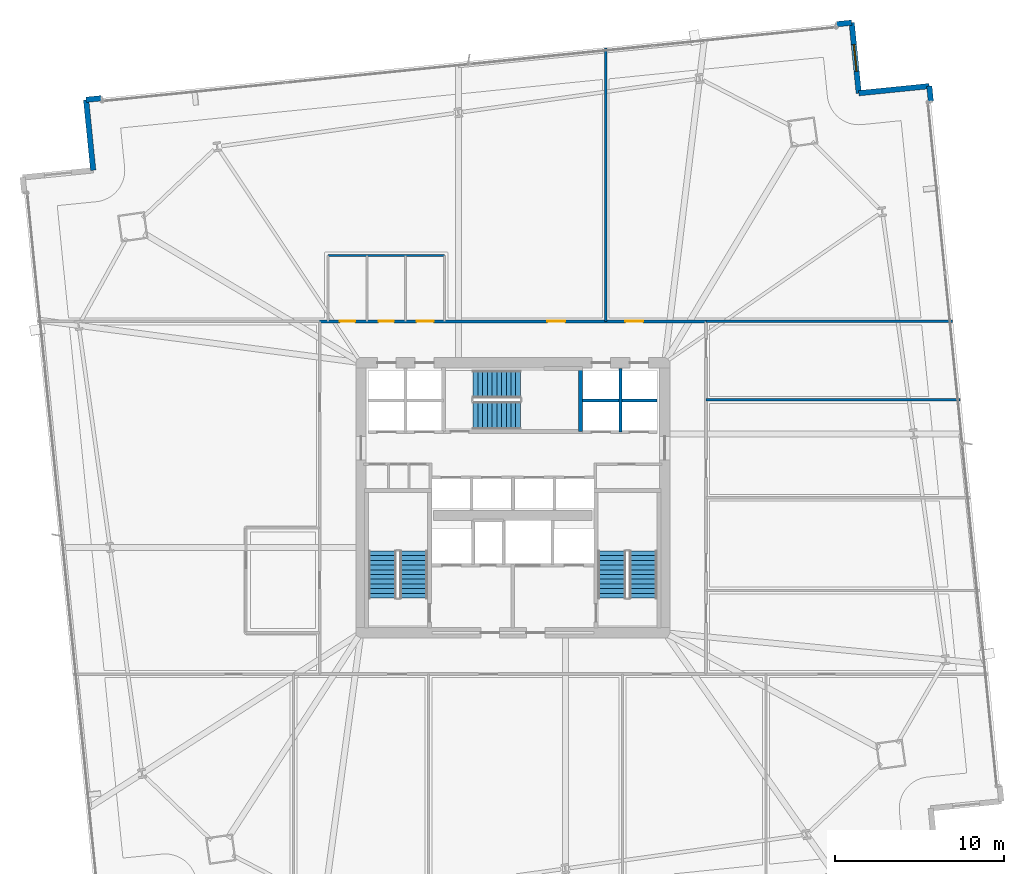
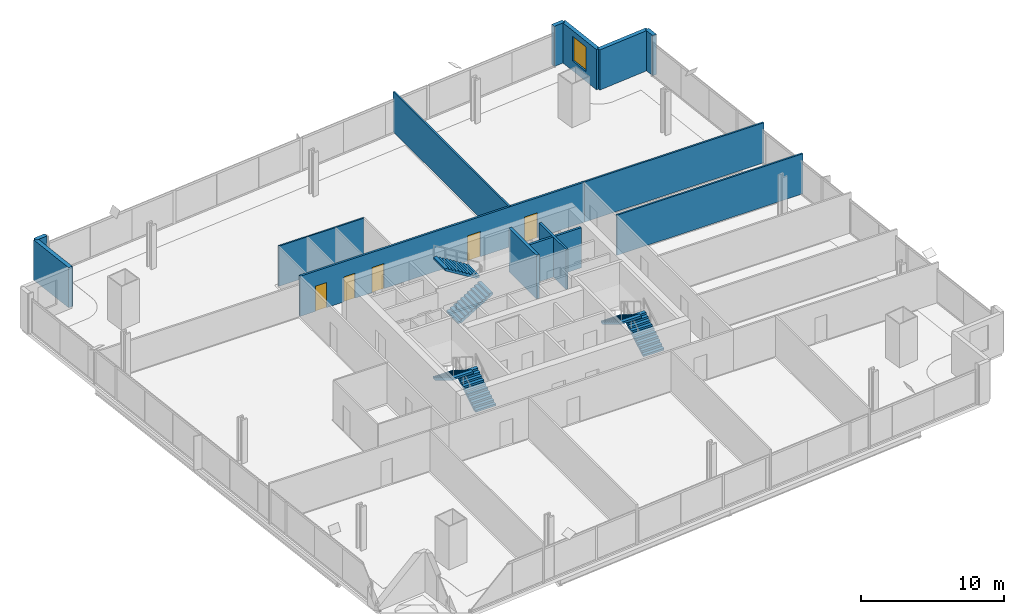
# One storey, part 28 of 33: 14 walls, 6 stair flights, 5 doors, 1 window, 6 openings, 3 elements without a shape of their own.
"""IFC4 building model written with IfcOpenShell, lengths in metres."""

from ifc_helpers import new_model, si_unit, direction, frame, frame_2d, origin, place, context, subcontext, project, spatial, polyline, rectangle, outline, extrude, material, layer, layer_set, type_object, element, fill, aggregate, save


model = new_model("IFC4")

# Units and contexts
model_context = context("Model", 3, precision=1e-05, world=origin(), true_north=direction((0.0, 1.0)))
body_context = subcontext(model_context, "Body", "Model", "MODEL_VIEW")
ifc_project = project(units=[si_unit("LENGTHUNIT", "METRE"), si_unit("AREAUNIT", "SQUARE_METRE"), si_unit("VOLUMEUNIT", "CUBIC_METRE"), si_unit("PLANEANGLEUNIT", "RADIAN"), si_unit("MASSUNIT", "GRAM", prefix="KILO")], contexts=[model_context])

# Site, building, storey
site_placement = place(None, origin())
site = spatial("IfcSite", under=ifc_project, at=site_placement, CompositionType="ELEMENT")
building_placement = place(site_placement, origin())
building = spatial("IfcBuilding", under=site, at=building_placement, Name="Haldenkirk Collegiate Tower", CompositionType="ELEMENT")
storey_placement = place(building_placement, frame((0.0, 0.0, 47.699951171875)))
storey = spatial("IfcBuildingStorey", under=building, at=storey_placement, Name="L10", CompositionType="ELEMENT", Elevation=47.699951171875)

# Walls
ifc_material_1 = material(Name="Precast concrete f'c 40 MPa", Category="concrete")
ifc_layer_1 = layer(ifc_material_1, 0.320068359375)
ifc_layer_set_1 = layer_set([ifc_layer_1], Name="Precast concrete f'c 40 MPa")
wall_type_1 = type_object("IfcWallType", Name="WL-EXT-TWR-320", PredefinedType="STANDARD", material=ifc_layer_set_1)
wall_1_placement = place(storey_placement, frame((60.68017578125, 50.3955078125, 0.0), z_axis=(0.0, 0.0, 1.0), x_axis=(0.100094562617, -0.994977928667, 0.0)))
element("IfcWall", 1, at=wall_1_placement, inside=storey, type_object=wall_type_1, Name="L10 precast corner pier EL", PredefinedType="STANDARD", context=body_context, shape_type="SweptSolid", body=[
    extrude(rectangle(XDim=0.900146484375, YDim=0.320068359375, at=frame_2d((0.4501953125, 0.0))), origin(), (0.0, 0.0, 1.0), 3.43994140625),
])
wall_2_placement = place(storey_placement, frame((56.501220703125, 49.974609375, 0.0), z_axis=(0.0, 0.0, 1.0), x_axis=(0.994966149633, 0.100211581584, 0.0)))
element("IfcWall", 2, at=wall_2_placement, inside=storey, type_object=wall_type_1, Name="L10 bronze precast notch wall 05", PredefinedType="STANDARD", context=body_context, shape_type="SweptSolid", body=[
    extrude(rectangle(XDim=4.2001953125, YDim=0.320068359375, at=frame_2d((2.10009765625, 0.0))), origin(), (0.0, 0.0, 1.0), 3.43994140625),
])

# Wall, opening, window
wall_3_placement = place(storey_placement, frame((56.080322265625, 54.153564453125, 0.0), z_axis=(0.0, 0.0, 1.0), x_axis=(0.100211581584, -0.994966149633, 0.0)))
wall_3 = element("IfcWall", 3, at=wall_3_placement, inside=storey, type_object=wall_type_1, Name="L10 bronze precast notch wall 06", PredefinedType="STANDARD", context=body_context, shape_type="SweptSolid", body=[
    extrude(rectangle(XDim=4.2001953125, YDim=0.320068359375, at=frame_2d((2.10009765625, 0.0))), origin(), (0.0, 0.0, 1.0), 3.43994140625),
])
opening_1_placement = place(wall_3_placement, frame((1.300048828125, 0.0, 0.85009765625)))
opening_1 = element("IfcOpeningElement", 4, at=opening_1_placement, cuts=wall_3, Name="Opening W-03", PredefinedType="OPENING", context=body_context, shape_type="SweptSolid", body=[
    extrude(rectangle(XDim=1.60009765625, YDim=2.10009765625, at=frame_2d((0.800048828125, 1.050048828125))), frame((0.0, 0.169921875, 0.0), z_axis=(0.0, -1.0, 0.0), x_axis=(1.0, 0.0, 0.0)), (0.0, 0.0, 1.0), 0.340087890625),
])
ifc_material_2 = material(Name="Low-E argon triple insulating glass", Category="glass")
ifc_layer_2 = layer(ifc_material_2, 0.090087890625)
ifc_layer_set_2 = layer_set([ifc_layer_2], Name="Low-E argon triple insulating glass")
window_type = type_object("IfcWindowType", Name="WN-Z1-1600X2100", PartitioningType="SINGLE_PANEL", PredefinedType="WINDOW", material=ifc_layer_set_2)
window_placement = place(opening_1_placement, origin())
window = element("IfcWindow", 5, at=window_placement, inside=storey, type_object=window_type, Name="L10 precast-frame academic window 5", OverallHeight=2.10009765625, OverallWidth=1.60009765625, PartitioningType="SINGLE_PANEL", PredefinedType="WINDOW", context=body_context, shape_type="SweptSolid", body=[
    extrude(rectangle(XDim=1.60009765625, YDim=2.10009765625, at=frame_2d((0.800048828125, 1.050048828125))), frame((0.0, 0.030029296875, 0.0), z_axis=(0.0, -1.0, 0.0), x_axis=(1.0, 0.0, 0.0)), (0.0, 0.0, 1.0), 0.06005859375),
])
fill(opening_1, window)

# Walls
for number, where, z_axis, x_axis, name in (
    (6, (10.709716796875, 49.5849609375, 0.0), (0.0, 0.0, 1.0), (0.994977928667, 0.100094562617, 0.0), "L10 precast corner pier NL"),
    (7, (55.184814453125, 54.063232421875, 0.0), (0.0, 0.0, 1.0), (0.994950877973, 0.100363092925, 0.0), "L10 precast corner pier NR"),
):
    element("IfcWall", number, at=place(storey_placement, frame(where, z_axis=z_axis, x_axis=x_axis)), inside=storey, type_object=wall_type_1, Name=name, PredefinedType="STANDARD", context=body_context, shape_type="SweptSolid", body=[
        extrude(rectangle(XDim=0.900146484375, YDim=0.320068359375, at=frame_2d((0.4501953125, 0.0))), origin(), (0.0, 0.0, 1.0), 3.43994140625),
    ])
wall_4_placement = place(storey_placement, frame((11.130615234375, 45.406005859375, 0.0), z_axis=(0.0, 0.0, 1.0), x_axis=(-0.100211581584, 0.994966149633, 0.0)))
element("IfcWall", 8, at=wall_4_placement, inside=storey, type_object=wall_type_1, Name="L10 bronze precast notch wall 08", PredefinedType="STANDARD", context=body_context, shape_type="SweptSolid", body=[
    extrude(rectangle(XDim=4.2001953125, YDim=0.320068359375, at=frame_2d((2.10009765625, 0.0))), origin(), (0.0, 0.0, 1.0), 3.43994140625),
])

# Wall, openings, doors
ifc_material_3 = material(Name="Acoustic fire-rated gypsum partition", Category="concrete")
ifc_layer_3 = layer(ifc_material_3, 0.159912109375)
ifc_layer_set_3 = layer_set([ifc_layer_3], Name="Acoustic fire-rated gypsum partition")
wall_type_2 = type_object("IfcWallType", Name="WL-INT-CORR-160", PredefinedType="PARTITIONING", material=ifc_layer_set_3)
wall_5_placement = place(storey_placement, frame((24.5, 36.449951171875, 0.0), z_axis=(0.0, 0.0, 1.0), x_axis=(1.0, 0.0, 0.0)))
wall_5 = element("IfcWall", 9, at=wall_5_placement, inside=storey, type_object=wall_type_2, Name="L10 interior partition IW-L10-CN", PredefinedType="PARTITIONING", context=body_context, shape_type="SweptSolid", body=[
    extrude(rectangle(XDim=23.0, YDim=0.159912109375, at=frame_2d((11.5, 0.0))), origin(), (0.0, 0.0, 1.0), 3.43994140625),
])
opening_2_placement = place(wall_5_placement, frame((1.25, 0.0, 0.0)))
opening_2 = element("IfcOpeningElement", 10, at=opening_2_placement, cuts=wall_5, Name="Opening D-13", PredefinedType="OPENING", context=body_context, shape_type="SweptSolid", body=[
    extrude(rectangle(XDim=0.89990234375, YDim=2.14990234375, at=frame_2d((0.449951171875, 1.074951171875))), frame((0.0, 0.08984375, 0.0), z_axis=(0.0, -1.0, 0.0), x_axis=(1.0, 0.0, 0.0)), (0.0, 0.0, 1.0), 0.179931640625),
])
opening_3_placement = place(wall_5_placement, frame((3.550048828125, 0.0, 0.0)))
opening_3 = element("IfcOpeningElement", 11, at=opening_3_placement, cuts=wall_5, Name="Opening D-13", PredefinedType="OPENING", context=body_context, shape_type="SweptSolid", body=[
    extrude(rectangle(XDim=0.89990234375, YDim=2.14990234375, at=frame_2d((0.449951171875, 1.074951171875))), frame((0.0, 0.08984375, 0.0), z_axis=(0.0, -1.0, 0.0), x_axis=(1.0, 0.0, 0.0)), (0.0, 0.0, 1.0), 0.179931640625),
])
opening_4_placement = place(wall_5_placement, frame((5.800048828125, 0.0, 0.0)))
opening_4 = element("IfcOpeningElement", 12, at=opening_4_placement, cuts=wall_5, Name="Opening D-14", PredefinedType="OPENING", context=body_context, shape_type="SweptSolid", body=[
    extrude(rectangle(XDim=1.0, YDim=2.14990234375, at=frame_2d((0.5, 1.074951171875))), frame((0.0, 0.08984375, 0.0), z_axis=(0.0, -1.0, 0.0), x_axis=(1.0, 0.0, 0.0)), (0.0, 0.0, 1.0), 0.179931640625),
])
opening_5_placement = place(wall_5_placement, frame((13.544921875, 0.0, 0.0)))
opening_5 = element("IfcOpeningElement", 13, at=opening_5_placement, cuts=wall_5, Name="Opening D-09", PredefinedType="OPENING", context=body_context, shape_type="SweptSolid", body=[
    extrude(rectangle(XDim=1.050048828125, YDim=2.14990234375, at=frame_2d((0.52490234375, 1.074951171875))), frame((0.0, 0.08984375, 0.0), z_axis=(0.0, -1.0, 0.0), x_axis=(1.0, 0.0, 0.0)), (0.0, 0.0, 1.0), 0.179931640625),
])
opening_6_placement = place(wall_5_placement, frame((18.1689453125, 0.0, 0.0)))
opening_6 = element("IfcOpeningElement", 14, at=opening_6_placement, cuts=wall_5, Name="Opening D-09", PredefinedType="OPENING", context=body_context, shape_type="SweptSolid", body=[
    extrude(rectangle(XDim=1.050048828125, YDim=2.14990234375, at=frame_2d((0.52490234375, 1.074951171875))), frame((0.0, 0.08984375, 0.0), z_axis=(0.0, -1.0, 0.0), x_axis=(1.0, 0.0, 0.0)), (0.0, 0.0, 1.0), 0.179931640625),
])
ifc_material_4 = material(Name="Solid-core architectural oak fire door", Category="wood")
ifc_layer_4 = layer(ifc_material_4, 0.06005859375)
ifc_layer_set_4 = layer_set([ifc_layer_4], Name="Solid-core architectural oak fire door")
door_type_1 = type_object("IfcDoorType", Name="DR-INT-ACC-1000", OperationType="NOTDEFINED", PredefinedType="DOOR", material=ifc_layer_set_4)
door_1_placement = place(opening_4_placement, origin())
door_1 = element("IfcDoor", 15, at=door_1_placement, inside=storey, type_object=door_type_1, Name="L10 Accessible WC door", OperationType="SINGLE_SWING_LEFT", OverallHeight=2.14990234375, OverallWidth=1.0, PredefinedType="DOOR", context=body_context, shape_type="SweptSolid", body=[
    extrude(rectangle(XDim=1.0, YDim=2.14990234375, at=frame_2d((0.5, 1.074951171875))), frame((0.0, 0.02490234375, 0.0), z_axis=(0.0, -1.0, 0.0), x_axis=(1.0, 0.0, 0.0)), (0.0, 0.0, 1.0), 0.050048828125),
])
fill(opening_4, door_1)
ifc_layer_5 = layer(ifc_material_4, 0.06005859375)
ifc_layer_set_5 = layer_set([ifc_layer_5], Name="Solid-core architectural oak fire door")
door_type_2 = type_object("IfcDoorType", Name="DR-INT-FD60-1050", OperationType="NOTDEFINED", PredefinedType="DOOR", material=ifc_layer_set_5)
door_2_placement = place(opening_5_placement, origin())
door_2 = element("IfcDoor", 16, at=door_2_placement, inside=storey, type_object=door_type_2, Name="L10 Bioengineering Laboratory 6 door", OperationType="SINGLE_SWING_LEFT", OverallHeight=2.14990234375, OverallWidth=1.050048828125, PredefinedType="DOOR", context=body_context, shape_type="SweptSolid", body=[
    extrude(rectangle(XDim=1.050048828125, YDim=2.14990234375, at=frame_2d((0.52490234375, 1.074951171875))), frame((0.0, 0.02490234375, 0.0), z_axis=(0.0, -1.0, 0.0), x_axis=(1.0, 0.0, 0.0)), (0.0, 0.0, 1.0), 0.050048828125),
])
fill(opening_5, door_2)
door_3_placement = place(opening_6_placement, origin())
door_3 = element("IfcDoor", 17, at=door_3_placement, inside=storey, type_object=door_type_2, Name="L10 Wet Science Laboratory 7 door", OperationType="SINGLE_SWING_RIGHT", OverallHeight=2.14990234375, OverallWidth=1.050048828125, PredefinedType="DOOR", context=body_context, shape_type="SweptSolid", body=[
    extrude(rectangle(XDim=1.050048828125, YDim=2.14990234375, at=frame_2d((0.52490234375, 1.074951171875))), frame((0.0, 0.02490234375, 0.0), z_axis=(0.0, -1.0, 0.0), x_axis=(1.0, 0.0, 0.0)), (0.0, 0.0, 1.0), 0.050048828125),
])
fill(opening_6, door_3)
ifc_layer_6 = layer(ifc_material_4, 0.06005859375)
ifc_layer_set_6 = layer_set([ifc_layer_6], Name="Solid-core architectural oak fire door")
door_type_3 = type_object("IfcDoorType", Name="DR-INT-STD-900", OperationType="NOTDEFINED", PredefinedType="DOOR", material=ifc_layer_set_6)
door_4_placement = place(opening_2_placement, origin())
door_4 = element("IfcDoor", 18, at=door_4_placement, inside=storey, type_object=door_type_3, Name="L10 Male WC door", OperationType="SINGLE_SWING_LEFT", OverallHeight=2.14990234375, OverallWidth=0.89990234375, PredefinedType="DOOR", context=body_context, shape_type="SweptSolid", body=[
    extrude(rectangle(XDim=0.89990234375, YDim=2.14990234375, at=frame_2d((0.449951171875, 1.074951171875))), frame((0.0, 0.02490234375, 0.0), z_axis=(0.0, -1.0, 0.0), x_axis=(1.0, 0.0, 0.0)), (0.0, 0.0, 1.0), 0.050048828125),
])
fill(opening_2, door_4)
door_5_placement = place(opening_3_placement, origin())
door_5 = element("IfcDoor", 19, at=door_5_placement, inside=storey, type_object=door_type_3, Name="L10 Female WC door", OperationType="SINGLE_SWING_RIGHT", OverallHeight=2.14990234375, OverallWidth=0.89990234375, PredefinedType="DOOR", context=body_context, shape_type="SweptSolid", body=[
    extrude(rectangle(XDim=0.89990234375, YDim=2.14990234375, at=frame_2d((0.449951171875, 1.074951171875))), frame((0.0, 0.02490234375, 0.0), z_axis=(0.0, -1.0, 0.0), x_axis=(1.0, 0.0, 0.0)), (0.0, 0.0, 1.0), 0.050048828125),
])
fill(opening_3, door_5)

# Walls
ifc_layer_7 = layer(ifc_material_3, 0.139892578125)
ifc_layer_set_7 = layer_set([ifc_layer_7], Name="Acoustic fire-rated gypsum partition")
wall_type_3 = type_object("IfcWallType", Name="WL-INT-DIV-140", PredefinedType="PARTITIONING", material=ifc_layer_set_7)
wall_6_placement = place(storey_placement, frame((47.449951171875, 36.449951171875, 0.0), z_axis=(0.0, 0.0, 1.0), x_axis=(1.0, 0.0, 0.0)))
element("IfcWall", 20, at=wall_6_placement, inside=storey, type_object=wall_type_3, Name="L10 interior partition IW-L10-BEN", PredefinedType="PARTITIONING", context=body_context, shape_type="SweptSolid", body=[
    extrude(rectangle(XDim=14.59423828125, YDim=0.139892578125, at=frame_2d((7.297119140625, 0.0))), origin(), (0.0, 0.0, 1.0), 3.43994140625),
])
wall_7_placement = place(storey_placement, frame((41.5, 36.449951171875, 0.0), z_axis=(0.0, 0.0, 1.0), x_axis=(0.0, 1.0, 0.0)))
element("IfcWall", 21, at=wall_7_placement, inside=storey, type_object=wall_type_3, Name="L10 interior partition IW-L10-RN1", PredefinedType="PARTITIONING", context=body_context, shape_type="SweptSolid", body=[
    extrude(rectangle(XDim=16.195068359375, YDim=0.139892578125, at=frame_2d((8.09765625, 0.0))), origin(), (0.0, 0.0, 1.0), 3.43994140625),
])
wall_8_placement = place(storey_placement, frame((47.449951171875, 31.800048828125, 0.0), z_axis=(0.0, 0.0, 1.0), x_axis=(1.0, 0.0, 0.0)))
element("IfcWall", 22, at=wall_8_placement, inside=storey, type_object=wall_type_3, Name="L10 interior partition IW-L10-RE3", PredefinedType="PARTITIONING", context=body_context, shape_type="SweptSolid", body=[
    extrude(rectangle(XDim=15.062255859375, YDim=0.139892578125, at=frame_2d((7.53125, 0.0))), origin(), (0.0, 0.0, 1.0), 3.43994140625),
])
ifc_material_5 = material(Name="Fire-rated gypsum shaftboard assembly", Category="concrete")
ifc_layer_8 = layer(ifc_material_5, 0.179931640625)
ifc_layer_set_8 = layer_set([ifc_layer_8], Name="Fire-rated gypsum shaftboard assembly")
wall_type_4 = type_object("IfcWallType", Name="WL-INT-SHAFT-180", PredefinedType="PARTITIONING", material=ifc_layer_set_8)
wall_9_placement = place(storey_placement, frame((40.1201171875, 31.75, 0.0), z_axis=(0.0, 0.0, 1.0), x_axis=(1.0, 0.0, 0.0)))
element("IfcWall", 23, at=wall_9_placement, inside=storey, type_object=wall_type_4, Name="L10 interior partition IW-L10-PMM", PredefinedType="PARTITIONING", context=body_context, shape_type="SweptSolid", body=[
    extrude(rectangle(XDim=4.429931640625, YDim=0.179931640625, at=frame_2d((2.21484375, 0.0))), origin(), (0.0, 0.0, 1.0), 3.43994140625),
])
wall_10_placement = place(storey_placement, frame((42.3701171875, 29.89990234375, 0.0), z_axis=(0.0, 0.0, 1.0), x_axis=(0.0, 1.0, 0.0)))
element("IfcWall", 24, at=wall_10_placement, inside=storey, type_object=wall_type_4, Name="L10 interior partition IW-L10-PMV", PredefinedType="PARTITIONING", context=body_context, shape_type="SweptSolid", body=[
    extrude(rectangle(XDim=3.75, YDim=0.179931640625, at=frame_2d((1.875, 0.0))), origin(), (0.0, 0.0, 1.0), 3.43994140625),
])
ifc_layer_9 = layer(ifc_material_3, 0.1201171875)
ifc_layer_set_9 = layer_set([ifc_layer_9], Name="Acoustic fire-rated gypsum partition")
wall_type_5 = type_object("IfcWallType", Name="WL-INT-WET-120", PredefinedType="PARTITIONING", material=ifc_layer_set_9)
wall_11_placement = place(storey_placement, frame((25.050048828125, 40.35009765625, 0.0), z_axis=(0.0, 0.0, 1.0), x_axis=(1.0, 0.0, 0.0)))
element("IfcWall", 25, at=wall_11_placement, inside=storey, type_object=wall_type_5, Name="L10 interior partition IW-L10-WCB", PredefinedType="PARTITIONING", context=body_context, shape_type="SweptSolid", body=[
    extrude(rectangle(XDim=6.89990234375, YDim=0.1201171875, at=frame_2d((3.449951171875, 0.0))), origin(), (0.0, 0.0, 1.0), 3.43994140625),
])
ifc_material_6 = material(Name="Concrete f'c 55 MPa", Category="concrete")
ifc_layer_10 = layer(ifc_material_6, 0.239990234375)
ifc_layer_set_10 = layer_set([ifc_layer_10], Name="Concrete f'c 55 MPa")
wall_type_6 = type_object("IfcWallType", Name="WL-SHAFT-240", PredefinedType="SHEAR", material=ifc_layer_set_10)
wall_12_placement = place(storey_placement, frame((40.02001953125, 29.929931640625, 0.0), z_axis=(0.0, 0.0, 1.0), x_axis=(0.0, 1.0, 0.0)))
element("IfcWall", 26, at=wall_12_placement, inside=storey, type_object=wall_type_6, Name="L10 stair shaft shear wall SW-L10-ST3E", PredefinedType="SHEAR", context=body_context, shape_type="SweptSolid", body=[
    extrude(rectangle(XDim=3.85009765625, YDim=0.239990234375, at=frame_2d((1.925048828125, 0.0))), origin(), (0.0, 0.0, 1.0), 3.75),
])

# Stair, stair flights
ifc_material_7 = material(Name="Concrete f'c 40 MPa", Category="concrete")
stair_type = type_object("IfcStairType", Name="STR-DOGLEG-1650", PredefinedType="HALF_TURN_STAIR", material=ifc_material_7)
stair_1_placement = place(storey_placement, origin())
stair_1 = element("IfcStair", 27, at=stair_1_placement, inside=storey, type_object=stair_type, Name="L10 Core Exit Stair ST-1", PredefinedType="HALF_TURN_STAIR")
stair_flight_type = type_object("IfcStairFlightType", Name="STF-FLIGHT-1650", PredefinedType="STRAIGHT", material=ifc_material_7)
stair_flight_1_placement = place(storey_placement, frame((30.125, 20.050048828125, 0.0), z_axis=(0.0, 0.0, 1.0), x_axis=(0.0, 1.0, 0.0)))
stair_flight_1 = element("IfcStairFlight", 28, at=stair_flight_1_placement, type_object=stair_flight_type, Name="ST-1 flight 1", NumberOfRisers=11, NumberOfTreads=10, PredefinedType="STRAIGHT", RiserHeight=0.170454545, TreadLength=0.28, context=body_context, shape_type="SweptSolid", body=[
    extrude(outline(polyline([(0.0, 0.0), (0.0, 0.17041015625), (0.280029296875, 0.17041015625), (0.280029296875, 0.3408203125), (0.56005859375, 0.3408203125), (0.56005859375, 0.511474609375), (0.840087890625, 0.511474609375), (0.840087890625, 0.681884765625), (1.1201171875, 0.681884765625), (1.1201171875, 0.852294921875), (1.39990234375, 0.852294921875), (1.39990234375, 1.022705078125), (1.679931640625, 1.022705078125), (1.679931640625, 1.193115234375), (1.9599609375, 1.193115234375), (1.9599609375, 1.363525390625), (2.239990234375, 1.363525390625), (2.239990234375, 1.5341796875), (2.52001953125, 1.5341796875), (2.52001953125, 1.70458984375), (2.800048828125, 1.70458984375), (2.800048828125, 1.875), (2.800048828125, 1.529052734375), (0.288330078125, 0.0), (0.0, 0.0)])), frame((0.0, 0.824951171875, 0.0), z_axis=(0.0, -1.0, 0.0), x_axis=(1.0, 0.0, 0.0)), (0.0, 0.0, 1.0), 1.64990234375),
])
stair_flight_2_placement = place(storey_placement, frame((28.27490234375, 22.85009765625, 1.875), z_axis=(0.0, 0.0, 1.0), x_axis=(0.0, -1.0, 0.0)))
stair_flight_2 = element("IfcStairFlight", 29, at=stair_flight_2_placement, type_object=stair_flight_type, Name="ST-1 flight 2", NumberOfRisers=11, NumberOfTreads=10, PredefinedType="STRAIGHT", RiserHeight=0.170454545, TreadLength=0.28, context=body_context, shape_type="SweptSolid", body=[
    extrude(outline(polyline([(0.0, 0.0), (0.0, 0.17041015625), (0.280029296875, 0.17041015625), (0.280029296875, 0.3408203125), (0.56005859375, 0.3408203125), (0.56005859375, 0.511474609375), (0.840087890625, 0.511474609375), (0.840087890625, 0.681884765625), (1.1201171875, 0.681884765625), (1.1201171875, 0.852294921875), (1.39990234375, 0.852294921875), (1.39990234375, 1.022705078125), (1.679931640625, 1.022705078125), (1.679931640625, 1.193115234375), (1.9599609375, 1.193115234375), (1.9599609375, 1.363525390625), (2.239990234375, 1.363525390625), (2.239990234375, 1.5341796875), (2.52001953125, 1.5341796875), (2.52001953125, 1.70458984375), (2.800048828125, 1.70458984375), (2.800048828125, 1.875), (2.800048828125, 1.529052734375), (0.288330078125, 0.0), (0.0, 0.0)])), frame((0.0, 0.824951171875, 0.0), z_axis=(0.0, -1.0, 0.0), x_axis=(1.0, 0.0, 0.0)), (0.0, 0.0, 1.0), 1.64990234375),
])
aggregate(stair_1, [stair_flight_1, stair_flight_2])

stair_2_placement = place(storey_placement, origin())
stair_2 = element("IfcStair", 30, at=stair_2_placement, inside=storey, type_object=stair_type, Name="L10 Core Exit Stair ST-2", PredefinedType="HALF_TURN_STAIR")
stair_flight_3_placement = place(storey_placement, frame((43.72509765625, 20.050048828125, 0.0), z_axis=(0.0, 0.0, 1.0), x_axis=(0.0, 1.0, 0.0)))
stair_flight_3 = element("IfcStairFlight", 31, at=stair_flight_3_placement, type_object=stair_flight_type, Name="ST-2 flight 1", NumberOfRisers=11, NumberOfTreads=10, PredefinedType="STRAIGHT", RiserHeight=0.170454545, TreadLength=0.28, context=body_context, shape_type="SweptSolid", body=[
    extrude(outline(polyline([(0.0, 0.0), (0.0, 0.17041015625), (0.280029296875, 0.17041015625), (0.280029296875, 0.3408203125), (0.56005859375, 0.3408203125), (0.56005859375, 0.511474609375), (0.840087890625, 0.511474609375), (0.840087890625, 0.681884765625), (1.1201171875, 0.681884765625), (1.1201171875, 0.852294921875), (1.39990234375, 0.852294921875), (1.39990234375, 1.022705078125), (1.679931640625, 1.022705078125), (1.679931640625, 1.193115234375), (1.9599609375, 1.193115234375), (1.9599609375, 1.363525390625), (2.239990234375, 1.363525390625), (2.239990234375, 1.5341796875), (2.52001953125, 1.5341796875), (2.52001953125, 1.70458984375), (2.800048828125, 1.70458984375), (2.800048828125, 1.875), (2.800048828125, 1.529052734375), (0.288330078125, 0.0), (0.0, 0.0)])), frame((0.0, 0.824951171875, 0.0), z_axis=(0.0, -1.0, 0.0), x_axis=(1.0, 0.0, 0.0)), (0.0, 0.0, 1.0), 1.64990234375),
])
stair_flight_4_placement = place(storey_placement, frame((41.875, 22.85009765625, 1.875), z_axis=(0.0, 0.0, 1.0), x_axis=(0.0, -1.0, 0.0)))
stair_flight_4 = element("IfcStairFlight", 32, at=stair_flight_4_placement, type_object=stair_flight_type, Name="ST-2 flight 2", NumberOfRisers=11, NumberOfTreads=10, PredefinedType="STRAIGHT", RiserHeight=0.170454545, TreadLength=0.28, context=body_context, shape_type="SweptSolid", body=[
    extrude(outline(polyline([(0.0, 0.0), (0.0, 0.17041015625), (0.280029296875, 0.17041015625), (0.280029296875, 0.3408203125), (0.56005859375, 0.3408203125), (0.56005859375, 0.511474609375), (0.840087890625, 0.511474609375), (0.840087890625, 0.681884765625), (1.1201171875, 0.681884765625), (1.1201171875, 0.852294921875), (1.39990234375, 0.852294921875), (1.39990234375, 1.022705078125), (1.679931640625, 1.022705078125), (1.679931640625, 1.193115234375), (1.9599609375, 1.193115234375), (1.9599609375, 1.363525390625), (2.239990234375, 1.363525390625), (2.239990234375, 1.5341796875), (2.52001953125, 1.5341796875), (2.52001953125, 1.70458984375), (2.800048828125, 1.70458984375), (2.800048828125, 1.875), (2.800048828125, 1.529052734375), (0.288330078125, 0.0), (0.0, 0.0)])), frame((0.0, 0.824951171875, 0.0), z_axis=(0.0, -1.0, 0.0), x_axis=(1.0, 0.0, 0.0)), (0.0, 0.0, 1.0), 1.64990234375),
])
aggregate(stair_2, [stair_flight_3, stair_flight_4])

stair_3_placement = place(storey_placement, origin())
stair_3 = element("IfcStair", 33, at=stair_3_placement, inside=storey, type_object=stair_type, Name="L10 Core Exit Stair ST-3", PredefinedType="HALF_TURN_STAIR")
stair_flight_5_placement = place(storey_placement, frame((33.64990234375, 30.875, 0.0), z_axis=(0.0, 0.0, 1.0), x_axis=(1.0, 0.0, 0.0)))
stair_flight_5 = element("IfcStairFlight", 34, at=stair_flight_5_placement, type_object=stair_flight_type, Name="ST-3 flight 1", NumberOfRisers=11, NumberOfTreads=10, PredefinedType="STRAIGHT", RiserHeight=0.170454545, TreadLength=0.28, context=body_context, shape_type="SweptSolid", body=[
    extrude(outline(polyline([(0.0, 0.0), (0.0, 0.17041015625), (0.280029296875, 0.17041015625), (0.280029296875, 0.3408203125), (0.56005859375, 0.3408203125), (0.56005859375, 0.511474609375), (0.840087890625, 0.511474609375), (0.840087890625, 0.681884765625), (1.1201171875, 0.681884765625), (1.1201171875, 0.852294921875), (1.39990234375, 0.852294921875), (1.39990234375, 1.022705078125), (1.679931640625, 1.022705078125), (1.679931640625, 1.193115234375), (1.9599609375, 1.193115234375), (1.9599609375, 1.363525390625), (2.239990234375, 1.363525390625), (2.239990234375, 1.5341796875), (2.52001953125, 1.5341796875), (2.52001953125, 1.70458984375), (2.800048828125, 1.70458984375), (2.800048828125, 1.875), (2.800048828125, 1.529052734375), (0.288330078125, 0.0), (0.0, 0.0)])), frame((0.0, 0.824951171875, 0.0), z_axis=(0.0, -1.0, 0.0), x_axis=(1.0, 0.0, 0.0)), (0.0, 0.0, 1.0), 1.64990234375),
])
stair_flight_6_placement = place(storey_placement, frame((36.449951171875, 32.72509765625, 1.875), z_axis=(0.0, 0.0, 1.0), x_axis=(-1.0, 0.0, 0.0)))
stair_flight_6 = element("IfcStairFlight", 35, at=stair_flight_6_placement, type_object=stair_flight_type, Name="ST-3 flight 2", NumberOfRisers=11, NumberOfTreads=10, PredefinedType="STRAIGHT", RiserHeight=0.170454545, TreadLength=0.28, context=body_context, shape_type="SweptSolid", body=[
    extrude(outline(polyline([(0.0, 0.0), (0.0, 0.17041015625), (0.280029296875, 0.17041015625), (0.280029296875, 0.3408203125), (0.56005859375, 0.3408203125), (0.56005859375, 0.511474609375), (0.840087890625, 0.511474609375), (0.840087890625, 0.681884765625), (1.1201171875, 0.681884765625), (1.1201171875, 0.852294921875), (1.39990234375, 0.852294921875), (1.39990234375, 1.022705078125), (1.679931640625, 1.022705078125), (1.679931640625, 1.193115234375), (1.9599609375, 1.193115234375), (1.9599609375, 1.363525390625), (2.239990234375, 1.363525390625), (2.239990234375, 1.5341796875), (2.52001953125, 1.5341796875), (2.52001953125, 1.70458984375), (2.800048828125, 1.70458984375), (2.800048828125, 1.875), (2.800048828125, 1.529052734375), (0.288330078125, 0.0), (0.0, 0.0)])), frame((0.0, 0.824951171875, 0.0), z_axis=(0.0, -1.0, 0.0), x_axis=(1.0, 0.0, 0.0)), (0.0, 0.0, 1.0), 1.64990234375),
])
aggregate(stair_3, [stair_flight_5, stair_flight_6])

save(model, "model.ifc")
